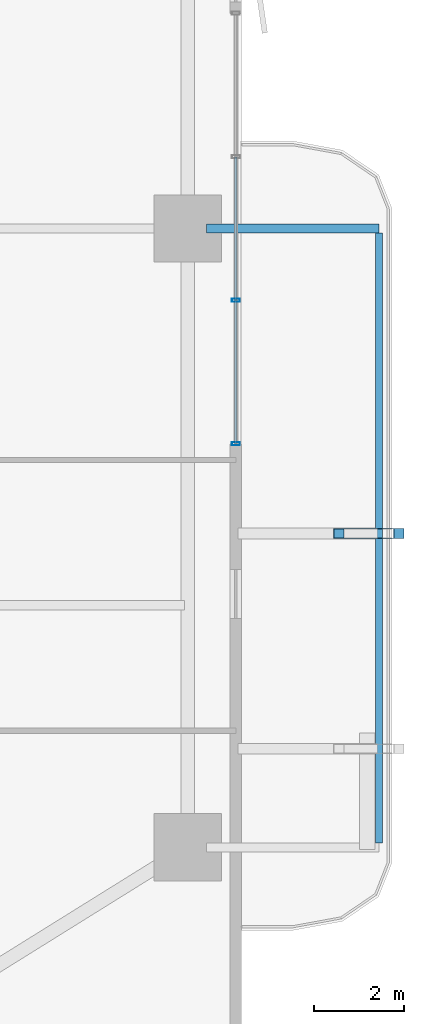
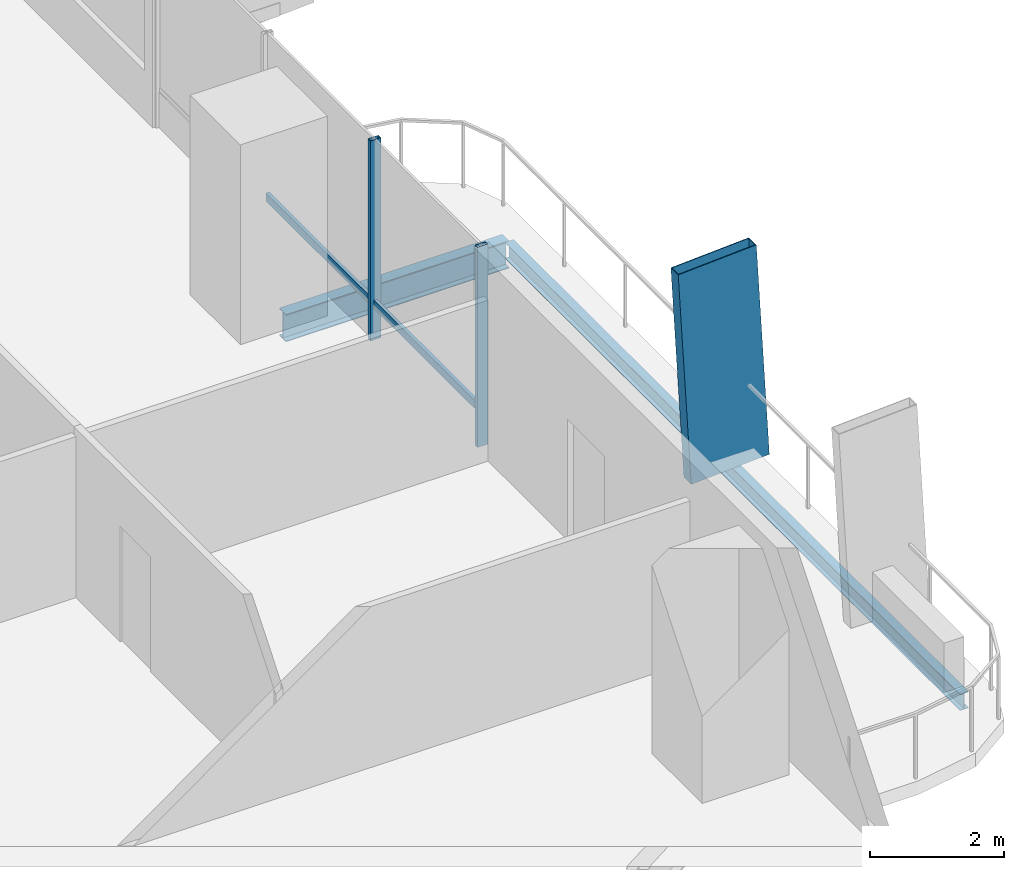
# One storey, part 8 of 23: 5 members, 2 beams, 1 element without a shape of its own.
"""IFC4 building model written with IfcOpenShell, lengths in metres."""

from ifc_helpers import new_model, si_unit, direction, frame, origin, origin_2d, place, context, subcontext, project, spatial, hollow_rectangle, i_section, extrude, material, layer, layer_set, material_profile, profile_set, type_object, element, aggregate, save


model = new_model("IFC4")

# Units and contexts
model_context = context("Model", 3, precision=1e-05, world=origin(), true_north=direction((0.0, 1.0)))
body_context = subcontext(model_context, "Body", "Model", "MODEL_VIEW")
ifc_project = project(units=[si_unit("LENGTHUNIT", "METRE"), si_unit("AREAUNIT", "SQUARE_METRE"), si_unit("VOLUMEUNIT", "CUBIC_METRE"), si_unit("PLANEANGLEUNIT", "RADIAN"), si_unit("MASSUNIT", "GRAM", prefix="KILO")], contexts=[model_context])

# Site, building, storey
site_placement = place(None, origin())
site = spatial("IfcSite", under=ifc_project, at=site_placement, CompositionType="ELEMENT")
building_placement = place(site_placement, origin())
building = spatial("IfcBuilding", under=site, at=building_placement, Name="Belovzor Exchange Tower", CompositionType="ELEMENT")
storey_placement = place(building_placement, frame((0.0, 0.0, 41.699951171875)))
storey = spatial("IfcBuildingStorey", under=building, at=storey_placement, Name="L09", CompositionType="ELEMENT", Elevation=41.699951171875)

# Member
ifc_material_1 = material(Name="Extruded Architectural Terracotta on Steel S355 Carrier", Category="masonry")
ifc_material_profile_1 = material_profile(ifc_material_1, hollow_rectangle(XDim=0.219970703125, YDim=1.35009765625, WallThickness=0.013916015625, at=origin_2d()))
ifc_profile_set_1 = profile_set([ifc_material_profile_1], Name="Extruded Architectural Terracotta on Steel S355 Carrier")
member_type_1 = type_object("IfcMemberType", Name="Base Arc Sweeping Terracotta Pylon Fin 1450", PredefinedType="USERDEFINED", material=ifc_profile_set_1)
member_1_placement = place(storey_placement, frame((59.64599609375, 22.0, -0.25), z_axis=(-0.057619293609, 0.0, 0.998338628424), x_axis=(0.0, -1.0, 0.0)))
element("IfcMember", 1, at=member_1_placement, inside=storey, type_object=member_type_1, Name="FIN-TC145 Terracotta Facade Fin L09 E2", ObjectType="FIN", PredefinedType="USERDEFINED", context=body_context, shape_type="SweptSolid", body=[
    extrude(hollow_rectangle(XDim=0.219970703125, YDim=1.35009765625, WallThickness=0.013916015625, at=origin_2d()), origin(), (0.0, 0.0, 1.0), 3.90673828125),
])

# Beams
ifc_material_2 = material(Name="Steel S355", Category="steel")
ifc_material_profile_2 = material_profile(ifc_material_2, i_section(OverallWidth=0.199951171875, OverallDepth=0.5, WebThickness=0.01025390625, FlangeThickness=0.01611328125, at=origin_2d()))
ifc_profile_set_2 = profile_set([ifc_material_profile_2], Name="Steel S355")
beam_type_1 = type_object("IfcBeamType", Name="Planted Balcony Cantilever Beam IPE 500", PredefinedType="BEAM", material=ifc_profile_set_2)
beam_1_placement = place(storey_placement, frame((55.9130859375, 28.800048828125, -0.5), z_axis=(1.0, 0.0, 0.0), x_axis=(0.0, 1.0, 0.0)))
element("IfcBeam", 2, at=beam_1_placement, inside=storey, type_object=beam_type_1, Name="BC-500 Planted Balcony Cantilever Beam IPE 500", PredefinedType="BEAM", context=body_context, shape_type="SweptSolid", body=[
    extrude(i_section(OverallWidth=0.199951171875, OverallDepth=0.5, WebThickness=0.01025390625, FlangeThickness=0.01611328125, at=origin_2d()), origin(), (0.0, 0.0, 1.0), 3.849853515625),
])
ifc_material_3 = material(Name="Steel S355", Category="steel")
ifc_material_profile_3 = material_profile(ifc_material_3, i_section(OverallWidth=0.14990234375, OverallDepth=0.300048828125, WebThickness=0.007080078125, FlangeThickness=0.0107421875, at=origin_2d()))
ifc_profile_set_3 = profile_set([ifc_material_profile_3], Name="Steel S355")
beam_type_2 = type_object("IfcBeamType", Name="Planted Balcony Fascia Edge Beam IPE 300", PredefinedType="BEAM", material=ifc_profile_set_3)
beam_2_placement = place(storey_placement, frame((59.762939453125, 15.10009765625, -0.39990234375), z_axis=(0.0, 1.0, 0.0), x_axis=(-1.0, 0.0, 0.0)))
element("IfcBeam", 3, at=beam_2_placement, inside=storey, type_object=beam_type_2, Name="BC-300 Planted Balcony Fascia Edge Beam IPE 300", PredefinedType="BEAM", context=body_context, shape_type="SweptSolid", body=[
    extrude(i_section(OverallWidth=0.14990234375, OverallDepth=0.300048828125, WebThickness=0.007080078125, FlangeThickness=0.0107421875, at=origin_2d()), origin(), (0.0, 0.0, 1.0), 13.599853515625),
])

# Curtain wall, members
ifc_material_4 = material(Name="Anodised Aluminium Framing", Category="aluminium")
ifc_layer = layer(ifc_material_4, 0.179931640625)
ifc_layer_set = layer_set([ifc_layer], Name="Anodised Aluminium Framing")
curtain_wall_type = type_object("IfcCurtainWallType", Name="Recessed Loggia Low-Iron Triple-Glazed Curtain Wall", PredefinedType="NOTDEFINED", material=ifc_layer_set)
curtain_wall_placement = place(storey_placement, origin())
curtain_wall = element("IfcCurtainWall", 4, at=curtain_wall_placement, inside=storey, type_object=curtain_wall_type, Name="CW3 Recessed Loggia Low-Iron Triple-Glazed Curtain Wall L09", PredefinedType="NOTDEFINED")
ifc_material_5 = material(Name="Steel S355", Category="steel")
ifc_material_profile_4 = material_profile(ifc_material_5, hollow_rectangle(XDim=0.074951171875, YDim=0.179931640625, WallThickness=0.0048828125, at=origin_2d()))
ifc_profile_set_4 = profile_set([ifc_material_profile_4], Name="Steel S355")
member_type_2 = type_object("IfcMemberType", Name="Thermally Broken Curtain Wall Mullion 180x75", PredefinedType="MULLION", material=ifc_profile_set_4)
member_2_placement = place(storey_placement, frame((56.570068359375, 27.199951171875, 0.0), z_axis=(0.0, 0.0, 1.0), x_axis=(0.0, -1.0, 0.0)))
member_2 = element("IfcMember", 5, at=member_2_placement, type_object=member_type_2, Name="CW-M180 Curtain Wall Mullion 3", PredefinedType="MULLION", context=body_context, shape_type="SweptSolid", body=[
    extrude(hollow_rectangle(XDim=0.074951171875, YDim=0.179931640625, WallThickness=0.0048828125, at=origin_2d()), origin(), (0.0, 0.0, 1.0), 3.650146484375),
])
member_3_placement = place(storey_placement, frame((56.570068359375, 24.0, 0.0), z_axis=(0.0, 0.0, 1.0), x_axis=(0.0, -1.0, 0.0)))
member_3 = element("IfcMember", 6, at=member_3_placement, type_object=member_type_2, Name="CW-M180 Curtain Wall Mullion 4", PredefinedType="MULLION", context=body_context, shape_type="SweptSolid", body=[
    extrude(hollow_rectangle(XDim=0.074951171875, YDim=0.179931640625, WallThickness=0.0048828125, at=origin_2d()), origin(), (0.0, 0.0, 1.0), 3.650146484375),
])
ifc_material_6 = material(Name="Steel S355", Category="steel")
ifc_material_profile_5 = material_profile(ifc_material_6, hollow_rectangle(XDim=0.06005859375, YDim=0.14990234375, WallThickness=0.00390625, at=origin_2d()))
ifc_profile_set_5 = profile_set([ifc_material_profile_5], Name="Steel S355")
member_type_3 = type_object("IfcMemberType", Name="Thermally Broken Curtain Wall Transom 150x60", PredefinedType="USERDEFINED", material=ifc_profile_set_5)
member_4_placement = place(storey_placement, frame((56.570068359375, 30.39208984375, 0.650146484375), z_axis=(0.0, -1.0, 0.0), x_axis=(1.0, 0.0, 0.0)))
member_4 = element("IfcMember", 7, at=member_4_placement, type_object=member_type_3, Name="CW-T150 Curtain Wall Transom 2", ObjectType="TRANSOM", PredefinedType="USERDEFINED", context=body_context, shape_type="SweptSolid", body=[
    extrude(hollow_rectangle(XDim=0.06005859375, YDim=0.14990234375, WallThickness=0.00390625, at=origin_2d()), origin(), (0.0, 0.0, 1.0), 3.18408203125),
])
member_5_placement = place(storey_placement, frame((56.570068359375, 27.19189453125, 0.650146484375), z_axis=(0.0, -1.0, 0.0), x_axis=(1.0, 0.0, 0.0)))
member_5 = element("IfcMember", 8, at=member_5_placement, type_object=member_type_3, Name="CW-T150 Curtain Wall Transom 3", ObjectType="TRANSOM", PredefinedType="USERDEFINED", context=body_context, shape_type="SweptSolid", body=[
    extrude(hollow_rectangle(XDim=0.06005859375, YDim=0.14990234375, WallThickness=0.00390625, at=origin_2d()), origin(), (0.0, 0.0, 1.0), 3.183837890625),
])
aggregate(curtain_wall, [member_2, member_3, member_4, member_5])

save(model, "model.ifc")
